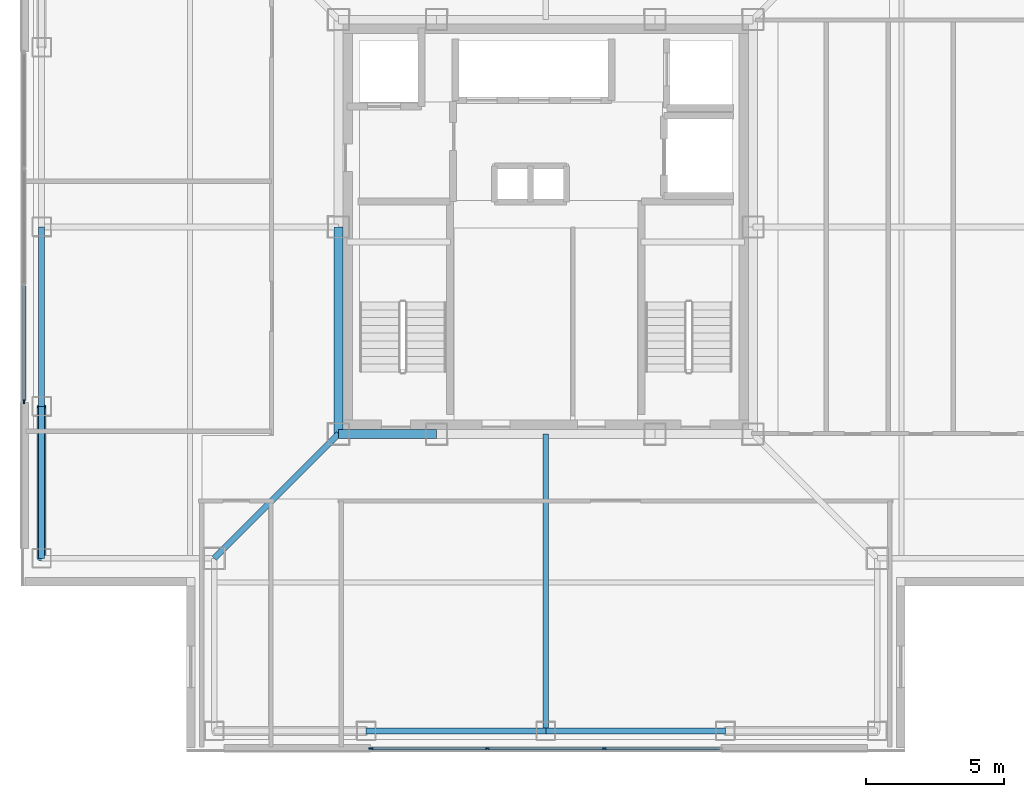
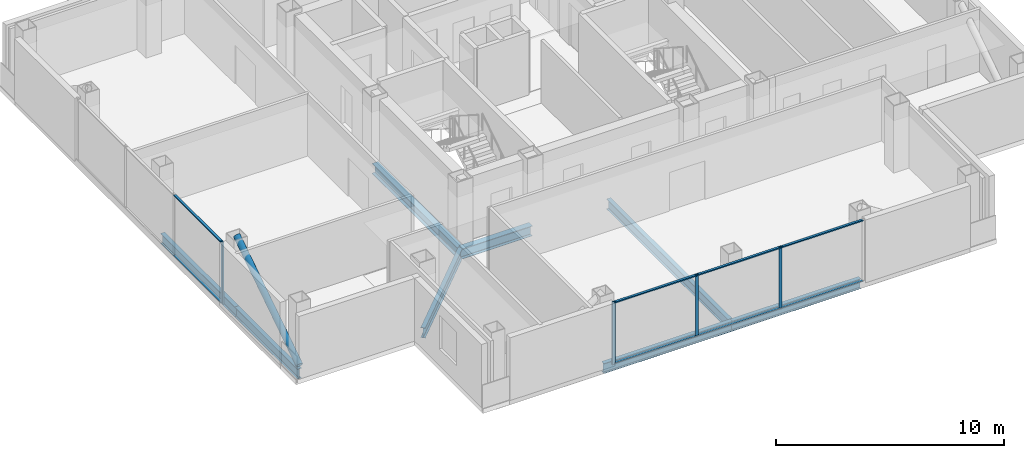
# One storey, part 2 of 16: 13 members, 8 beams, 2 elements without a shape of their own.
"""IFC4 building model written with IfcOpenShell, lengths in metres."""

from ifc_helpers import new_model, si_unit, direction, frame, origin, origin_2d, place, context, subcontext, project, spatial, rectangle, hollow_circle, i_section, extrude, material, layer, layer_set, material_profile, profile_set, type_object, element, aggregate, save


model = new_model("IFC4")

# Units and contexts
model_context = context("Model", 3, precision=1e-05, world=origin(), true_north=direction((0.0, 1.0)))
body_context = subcontext(model_context, "Body", "Model", "MODEL_VIEW")
ifc_project = project(units=[si_unit("LENGTHUNIT", "METRE"), si_unit("AREAUNIT", "SQUARE_METRE"), si_unit("VOLUMEUNIT", "CUBIC_METRE"), si_unit("PLANEANGLEUNIT", "RADIAN"), si_unit("MASSUNIT", "GRAM", prefix="KILO")], contexts=[model_context])

# Site, building, storey
site_placement = place(None, origin())
site = spatial("IfcSite", under=ifc_project, at=site_placement, CompositionType="ELEMENT")
building_placement = place(site_placement, origin())
building = spatial("IfcBuilding", under=site, at=building_placement, Name="Trevonay Congress Spire", CompositionType="ELEMENT")
storey_placement = place(building_placement, frame((0.0, 0.0, 257.60009765625)))
storey = spatial("IfcBuildingStorey", under=building, at=storey_placement, Name="L67", CompositionType="ELEMENT", Elevation=257.60009765625)

# Beams
ifc_material_1 = material(Name="Steel ASTM A572 Grade 50", Category="steel")
ifc_material_profile_1 = material_profile(ifc_material_1, i_section(OverallWidth=0.2119140625, OverallDepth=0.5439453125, WebThickness=0.01318359375, FlangeThickness=0.021240234375, FilletRadius=0.014892578125, at=origin_2d()), Name="W530x123")
ifc_profile_set_1 = profile_set([ifc_material_profile_1], Name="Steel ASTM A572 Grade 50")
beam_type_1 = type_object("IfcBeamType", Name="BM-GIRD-W530X123", PredefinedType="BEAM", material=ifc_profile_set_1)
beam_1_placement = place(storey_placement, frame((-7.5, -7.5, -0.51220703125), z_axis=(-0.707106781187, -0.707106781187, 0.0), x_axis=(0.707106781187, -0.707106781187, 0.0)))
element("IfcBeam", 1, at=beam_1_placement, inside=storey, type_object=beam_type_1, Name="L67 structural beam BM-L67-CDSW", PredefinedType="BEAM", context=body_context, shape_type="SweptSolid", body=[
    extrude(i_section(OverallWidth=0.2119140625, OverallDepth=0.5439453125, WebThickness=0.01318359375, FlangeThickness=0.021240234375, FilletRadius=0.014892578125, at=origin_2d()), origin(), (0.0, 0.0, 1.0), 6.364013671875),
])
beam_2_placement = place(storey_placement, frame((0.0, -7.5, -0.51220703125), z_axis=(0.0, -1.0, 0.0), x_axis=(1.0, 0.0, 0.0)))
element("IfcBeam", 2, at=beam_2_placement, inside=storey, type_object=beam_type_1, Name="L67 structural beam BM-L67-GC-S", PredefinedType="BEAM", context=body_context, shape_type="SweptSolid", body=[
    extrude(i_section(OverallWidth=0.2119140625, OverallDepth=0.5439453125, WebThickness=0.01318359375, FlangeThickness=0.021240234375, FilletRadius=0.014892578125, at=origin_2d()), origin(), (0.0, 0.0, 1.0), 10.75),
])
ifc_material_profile_2 = material_profile(ifc_material_1, i_section(OverallWidth=0.31201171875, OverallDepth=0.54296875, WebThickness=0.0126953125, FlangeThickness=0.020263671875, FilletRadius=0.014892578125, at=origin_2d()), Name="W530x150")
ifc_profile_set_2 = profile_set([ifc_material_profile_2], Name="Steel ASTM A572 Grade 50")
beam_type_2 = type_object("IfcBeamType", Name="BM-GIRD-W530X150", PredefinedType="BEAM", material=ifc_profile_set_2)
beam_3_placement = place(storey_placement, frame((-7.5, -7.5, -0.51171875), z_axis=(1.0, 0.0, 0.0), x_axis=(0.0, 1.0, 0.0)))
element("IfcBeam", 3, at=beam_3_placement, inside=storey, type_object=beam_type_2, Name="L67 structural beam BM-L67-CR-S1", PredefinedType="BEAM", context=body_context, shape_type="SweptSolid", body=[
    extrude(i_section(OverallWidth=0.31201171875, OverallDepth=0.54296875, WebThickness=0.0126953125, FlangeThickness=0.020263671875, FilletRadius=0.014892578125, at=origin_2d()), origin(), (0.0, 0.0, 1.0), 3.550048828125),
])
beam_4_placement = place(storey_placement, frame((-7.5, -7.5, -0.51171875), z_axis=(0.0, 1.0, 0.0), x_axis=(-1.0, 0.0, 0.0)))
element("IfcBeam", 4, at=beam_4_placement, inside=storey, type_object=beam_type_2, Name="L67 structural beam BM-L67-CR-W1", PredefinedType="BEAM", context=body_context, shape_type="SweptSolid", body=[
    extrude(i_section(OverallWidth=0.31201171875, OverallDepth=0.54296875, WebThickness=0.0126953125, FlangeThickness=0.020263671875, FilletRadius=0.014892578125, at=origin_2d()), origin(), (0.0, 0.0, 1.0), 7.5),
])
ifc_material_profile_3 = material_profile(ifc_material_1, i_section(OverallWidth=0.208984375, OverallDepth=0.532958984375, WebThickness=0.01025390625, FlangeThickness=0.015625, FilletRadius=0.014892578125, at=origin_2d()), Name="W530x92")
ifc_profile_set_3 = profile_set([ifc_material_profile_3], Name="Steel ASTM A572 Grade 50")
beam_type_3 = type_object("IfcBeamType", Name="BM-RING-W530X92", PredefinedType="BEAM", material=ifc_profile_set_3)
beam_5_placement = place(storey_placement, frame((-18.25, -12.0, -0.506591796875), z_axis=(0.0, 1.0, 0.0), x_axis=(-1.0, 0.0, 0.0)))
element("IfcBeam", 5, at=beam_5_placement, inside=storey, type_object=beam_type_3, Name="L67 structural beam BM-L67-PW1", PredefinedType="BEAM", context=body_context, shape_type="SweptSolid", body=[
    extrude(i_section(OverallWidth=0.208984375, OverallDepth=0.532958984375, WebThickness=0.01025390625, FlangeThickness=0.015625, FilletRadius=0.014892578125, at=origin_2d()), origin(), (0.0, 0.0, 1.0), 5.5),
])
for number, where, z_axis, x_axis, name in (
    (6, (-6.5, -18.25, -0.506591796875), (1.0, 0.0, 0.0), (0.0, 1.0, 0.0), "L67 structural beam BM-L67-PS2"),
    (7, (-18.25, -6.5, -0.506591796875), (0.0, 1.0, 0.0), (-1.0, 0.0, 0.0), "L67 structural beam BM-L67-PW2"),
    (8, (0.0, -18.25, -0.506591796875), (1.0, 0.0, 0.0), (0.0, 1.0, 0.0), "L67 structural beam BM-L67-PS3"),
):
    element("IfcBeam", number, at=place(storey_placement, frame(where, z_axis=z_axis, x_axis=x_axis)), inside=storey, type_object=beam_type_3, Name=name, PredefinedType="BEAM", context=body_context, shape_type="SweptSolid", body=[
        extrude(i_section(OverallWidth=0.208984375, OverallDepth=0.532958984375, WebThickness=0.01025390625, FlangeThickness=0.015625, FilletRadius=0.014892578125, at=origin_2d()), origin(), (0.0, 0.0, 1.0), 6.5),
    ])

# Curtain wall, members
ifc_material_2 = material(Name="Pale Anodised Aluminium EN AW-6063-T6", Category="aluminium")
ifc_layer = layer(ifc_material_2, 0.1650390625, Name="Pale Anodised Aluminium EN AW-6063-T6")
ifc_layer_set = layer_set([ifc_layer], Name="Pale Anodised Aluminium EN AW-6063-T6")
curtain_wall_type = type_object("IfcCurtainWallType", Name="CW-SYS05-DIPLOM-PALE-METAL", PredefinedType="NOTDEFINED", material=ifc_layer_set)
curtain_wall_1_placement = place(storey_placement, origin())
curtain_wall_1 = element("IfcCurtainWall", 9, at=curtain_wall_1_placement, inside=storey, type_object=curtain_wall_type, Name="L67 S unitised curtain wall", PredefinedType="NOTDEFINED")
ifc_material_profile_4 = material_profile(ifc_material_2, rectangle(XDim=0.06005859375, YDim=0.159912109375, at=origin_2d()), Name="CW-MULLION-160-ALUMINIUM")
ifc_profile_set_4 = profile_set([ifc_material_profile_4], Name="Pale Anodised Aluminium EN AW-6063-T6")
member_type_1 = type_object("IfcMemberType", Name="CW-MULLION-160-ALUMINIUM", PredefinedType="MULLION", material=ifc_profile_set_4)
member_1_placement = place(storey_placement, frame((-6.320068359375, -18.8798828125, 0.0), z_axis=(0.0, 0.0, 1.0), x_axis=(0.0, 1.0, 0.0)))
member_1 = element("IfcMember", 10, at=member_1_placement, type_object=member_type_1, Name="CW05 mullion 1", PredefinedType="MULLION", context=body_context, shape_type="SweptSolid", body=[
    extrude(rectangle(XDim=0.06005859375, YDim=0.159912109375, at=origin_2d()), origin(), (0.0, 0.0, 1.0), 3.35986328125),
])
member_2_placement = place(storey_placement, frame((-2.11669921875, -18.8798828125, 0.0), z_axis=(0.0, 0.0, 1.0), x_axis=(0.0, 1.0, 0.0)))
member_2 = element("IfcMember", 11, at=member_2_placement, type_object=member_type_1, Name="CW05 mullion 2", PredefinedType="MULLION", context=body_context, shape_type="SweptSolid", body=[
    extrude(rectangle(XDim=0.06005859375, YDim=0.159912109375, at=origin_2d()), origin(), (0.0, 0.0, 1.0), 3.35986328125),
])
member_3_placement = place(storey_placement, frame((2.11669921875, -18.8798828125, 0.0), z_axis=(0.0, 0.0, 1.0), x_axis=(0.0, 1.0, 0.0)))
member_3 = element("IfcMember", 12, at=member_3_placement, type_object=member_type_1, Name="CW05 mullion 3", PredefinedType="MULLION", context=body_context, shape_type="SweptSolid", body=[
    extrude(rectangle(XDim=0.06005859375, YDim=0.159912109375, at=origin_2d()), origin(), (0.0, 0.0, 1.0), 3.35986328125),
])

# Curtain wall, member
curtain_wall_2_placement = place(storey_placement, origin())
curtain_wall_2 = element("IfcCurtainWall", 13, at=curtain_wall_2_placement, inside=storey, type_object=curtain_wall_type, Name="L67 W unitised curtain wall", PredefinedType="NOTDEFINED")
member_4_placement = place(storey_placement, frame((-18.8798828125, -6.320068359375, 0.0), z_axis=(0.0, 0.0, 1.0), x_axis=(-1.0, 0.0, 0.0)))
member_4 = element("IfcMember", 14, at=member_4_placement, type_object=member_type_1, Name="CW05 mullion 1", PredefinedType="MULLION", context=body_context, shape_type="SweptSolid", body=[
    extrude(rectangle(XDim=0.06005859375, YDim=0.159912109375, at=origin_2d()), origin(), (0.0, 0.0, 1.0), 3.35986328125),
])

# Member
ifc_material_profile_5 = material_profile(ifc_material_2, rectangle(XDim=0.1201171875, YDim=0.06005859375, at=origin_2d()), Name="CW-TRANSOM-120-ALUMINIUM")
ifc_profile_set_5 = profile_set([ifc_material_profile_5], Name="Pale Anodised Aluminium EN AW-6063-T6")
member_type_2 = type_object("IfcMemberType", Name="CW-TRANSOM-120-ALUMINIUM", PredefinedType="USERDEFINED", material=ifc_profile_set_5)
member_5_placement = place(storey_placement, frame((-6.2900390625, -18.8798828125, 0.059814453125), z_axis=(1.0, 0.0, 0.0), x_axis=(0.0, 1.0, 0.0)))
member_5 = element("IfcMember", 15, at=member_5_placement, type_object=member_type_2, Name="CW05 transom 1.1", ObjectType="TRANSOM", PredefinedType="USERDEFINED", context=body_context, shape_type="SweptSolid", body=[
    extrude(rectangle(XDim=0.1201171875, YDim=0.06005859375, at=origin_2d()), origin(), (0.0, 0.0, 1.0), 4.143310546875),
])

member_6_placement = place(storey_placement, frame((-6.2900390625, -18.8798828125, 3.2998046875), z_axis=(1.0, 0.0, 0.0), x_axis=(0.0, 1.0, 0.0)))
member_6 = element("IfcMember", 16, at=member_6_placement, type_object=member_type_2, Name="CW05 transom 1.2", ObjectType="TRANSOM", PredefinedType="USERDEFINED", context=body_context, shape_type="SweptSolid", body=[
    extrude(rectangle(XDim=0.1201171875, YDim=0.06005859375, at=origin_2d()), origin(), (0.0, 0.0, 1.0), 4.143310546875),
])

member_7_placement = place(storey_placement, frame((-2.086669921875, -18.8798828125, 0.059814453125), z_axis=(1.0, 0.0, 0.0), x_axis=(0.0, 1.0, 0.0)))
member_7 = element("IfcMember", 17, at=member_7_placement, type_object=member_type_2, Name="CW05 transom 2.1", ObjectType="TRANSOM", PredefinedType="USERDEFINED", context=body_context, shape_type="SweptSolid", body=[
    extrude(rectangle(XDim=0.1201171875, YDim=0.06005859375, at=origin_2d()), origin(), (0.0, 0.0, 1.0), 4.17333984375),
])

member_8_placement = place(storey_placement, frame((-2.086669921875, -18.8798828125, 3.2998046875), z_axis=(1.0, 0.0, 0.0), x_axis=(0.0, 1.0, 0.0)))
member_8 = element("IfcMember", 18, at=member_8_placement, type_object=member_type_2, Name="CW05 transom 2.2", ObjectType="TRANSOM", PredefinedType="USERDEFINED", context=body_context, shape_type="SweptSolid", body=[
    extrude(rectangle(XDim=0.1201171875, YDim=0.06005859375, at=origin_2d()), origin(), (0.0, 0.0, 1.0), 4.17333984375),
])

member_9_placement = place(storey_placement, frame((2.146728515625, -18.8798828125, 0.059814453125), z_axis=(1.0, 0.0, 0.0), x_axis=(0.0, 1.0, 0.0)))
member_9 = element("IfcMember", 19, at=member_9_placement, type_object=member_type_2, Name="CW05 transom 3.1", ObjectType="TRANSOM", PredefinedType="USERDEFINED", context=body_context, shape_type="SweptSolid", body=[
    extrude(rectangle(XDim=0.1201171875, YDim=0.06005859375, at=origin_2d()), origin(), (0.0, 0.0, 1.0), 4.143310546875),
])

member_10_placement = place(storey_placement, frame((2.146728515625, -18.8798828125, 3.2998046875), z_axis=(1.0, 0.0, 0.0), x_axis=(0.0, 1.0, 0.0)))
member_10 = element("IfcMember", 20, at=member_10_placement, type_object=member_type_2, Name="CW05 transom 3.2", ObjectType="TRANSOM", PredefinedType="USERDEFINED", context=body_context, shape_type="SweptSolid", body=[
    extrude(rectangle(XDim=0.1201171875, YDim=0.06005859375, at=origin_2d()), origin(), (0.0, 0.0, 1.0), 4.143310546875),
])

aggregate(curtain_wall_1, [member_1, member_2, member_3, member_5, member_6, member_7, member_8, member_9, member_10])

member_11_placement = place(storey_placement, frame((-18.8798828125, -6.2900390625, 0.059814453125), z_axis=(0.0, 1.0, 0.0), x_axis=(-1.0, 0.0, 0.0)))
member_11 = element("IfcMember", 21, at=member_11_placement, type_object=member_type_2, Name="CW05 transom 1.1", ObjectType="TRANSOM", PredefinedType="USERDEFINED", context=body_context, shape_type="SweptSolid", body=[
    extrude(rectangle(XDim=0.1201171875, YDim=0.06005859375, at=origin_2d()), origin(), (0.0, 0.0, 1.0), 4.143310546875),
])

member_12_placement = place(storey_placement, frame((-18.8798828125, -6.2900390625, 3.2998046875), z_axis=(0.0, 1.0, 0.0), x_axis=(-1.0, 0.0, 0.0)))
member_12 = element("IfcMember", 22, at=member_12_placement, type_object=member_type_2, Name="CW05 transom 1.2", ObjectType="TRANSOM", PredefinedType="USERDEFINED", context=body_context, shape_type="SweptSolid", body=[
    extrude(rectangle(XDim=0.1201171875, YDim=0.06005859375, at=origin_2d()), origin(), (0.0, 0.0, 1.0), 4.143310546875),
])

aggregate(curtain_wall_2, [member_4, member_11, member_12])

ifc_material_3 = material(Name="Steel ASTM A500 Grade C", Category="steel")
ifc_material_profile_6 = material_profile(ifc_material_3, hollow_circle(Radius=0.161865234375, WallThickness=0.01611328125, at=origin_2d()), Name="CHS 323.9x16")
ifc_profile_set_6 = profile_set([ifc_material_profile_6], Name="Steel ASTM A500 Grade C")
member_type_3 = type_object("IfcMemberType", Name="MBR-TUBE-CHS324", PredefinedType="BRACE", material=ifc_profile_set_6)
member_13_placement = place(storey_placement, frame((-18.25, -12.0, -0.050048828125), z_axis=(0.0, 0.836711728151, 0.547643573845), x_axis=(-1.0, 0.0, 0.0)))
element("IfcMember", 23, at=member_13_placement, inside=storey, type_object=member_type_3, Name="L67 perimeter braced-tube diagonal W0", PredefinedType="BRACE", context=body_context, shape_type="SweptSolid", body=[
    extrude(hollow_circle(Radius=0.161865234375, WallThickness=0.01611328125, at=origin_2d()), origin(), (0.0, 0.0, 1.0), 6.5732421875),
])

save(model, "model.ifc")
